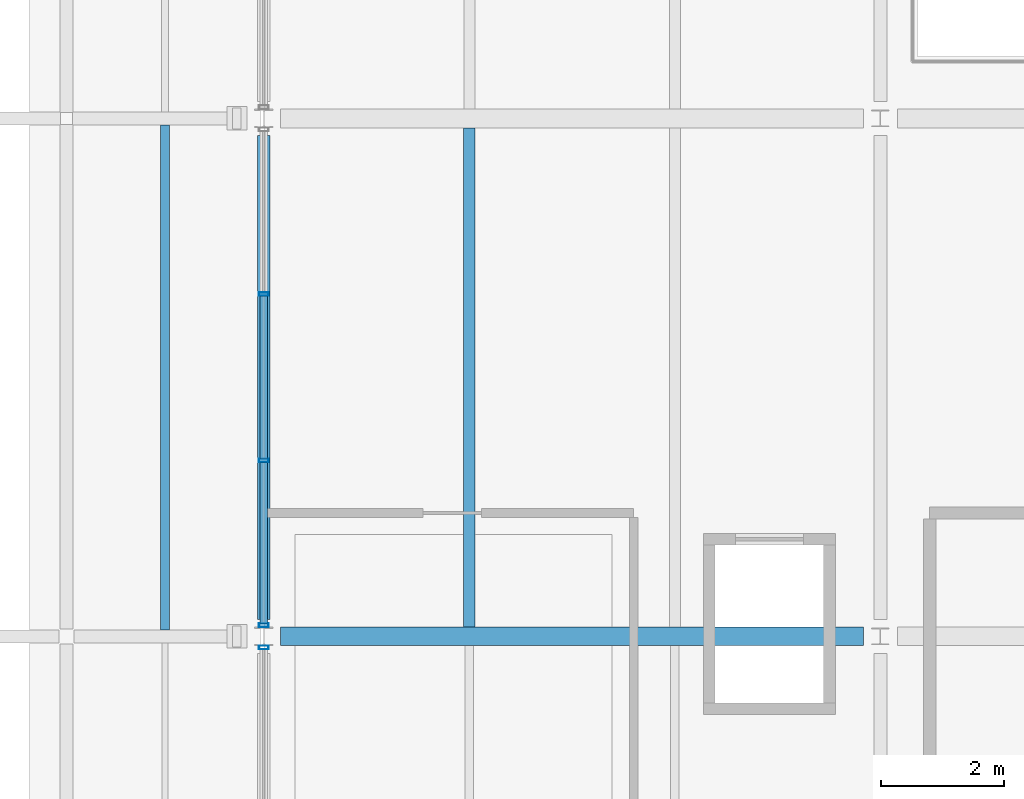
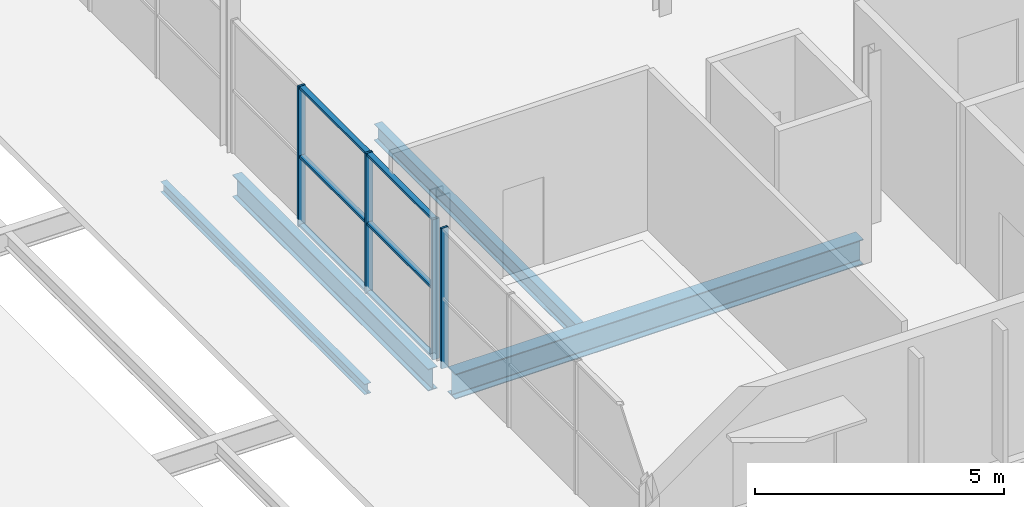
# One storey, part 95 of 161: 10 members, 4 beams, 2 elements without a shape of their own.
"""IFC4 building model written with IfcOpenShell, lengths in metres."""

import ifcopenshell
import ifcopenshell.guid

model = None  # the IFC model being written
_history = None  # IfcOwnerHistory: only IFC2X3 demands one
_inside = {}  # id of a spatial element -> (the spatial element, [elements in it])
_under = {}  # id of a project, library or spatial element -> (it, [spatial elements below it])
_declared = {}  # id of a project -> (the project, [libraries it declares])
_typed = {}  # id of a type object -> (the type object, [elements of that type])
_made_of = {}  # id of a material, layer set ... -> (it, [elements and type objects made of it])


def new_model(schema):
    """Start an empty IFC model of exactly this schema.

    Asked for "IFC4X3", IfcOpenShell would pick the latest addendum, in which some entities
    have other attributes; the version numbers below select the first issue.
    IFC2X3 requires an IfcOwnerHistory on every rooted entity: one is made here for all.
    """
    global model, _history
    if schema == "IFC4X3":
        model = ifcopenshell.file(schema_version=(4, 3, 0, 0))
    else:
        model = ifcopenshell.file(schema=schema)
    _inside.clear()
    _under.clear()
    _declared.clear()
    _typed.clear()
    _made_of.clear()
    _history = None
    if model.schema == "IFC2X3":
        org = make("IfcOrganization", Name="unknown")
        user = make(
            "IfcPersonAndOrganization",
            ThePerson=make("IfcPerson", FamilyName="unknown"),
            TheOrganization=org,
        )
        app = make(
            "IfcApplication",
            ApplicationDeveloper=org,
            Version="unknown",
            ApplicationFullName="unknown",
            ApplicationIdentifier="unknown",
        )
        _history = make(
            "IfcOwnerHistory",
            OwningUser=user,
            OwningApplication=app,
            ChangeAction="ADDED",
            CreationDate=0,
        )
    return model


def make(cls, **values):
    """One entity of the class cls with the attributes given. An attribute that is None is left unset."""
    return model.create_entity(
        cls, **{name: value for name, value in values.items() if value is not None}
    )


def rooted(cls, **values):
    """An entity with a GlobalId (a new one), such as an element, a storey or a relation."""
    return make(cls, GlobalId=ifcopenshell.guid.new(), OwnerHistory=_history, **values)


def si_unit(unit_type, name, prefix=None):
    """IfcSIUnit, for example si_unit("LENGTHUNIT", "METRE", prefix="MILLI")."""
    return make("IfcSIUnit", UnitType=unit_type, Prefix=prefix, Name=name)


def assignment(units):
    """IfcUnitAssignment: the units of a project."""
    return None if units is None else make("IfcUnitAssignment", Units=units)


def point(xyz):
    """IfcCartesianPoint."""
    return None if xyz is None else make("IfcCartesianPoint", Coordinates=xyz)


def direction(xyz):
    """IfcDirection."""
    return None if xyz is None else make("IfcDirection", DirectionRatios=xyz)


def frame(location, z_axis=None, x_axis=None):
    """IfcAxis2Placement3D, a coordinate frame: its origin and axes. An axis left out is left unset."""
    return make(
        "IfcAxis2Placement3D",
        Location=point(location),
        Axis=direction(z_axis),
        RefDirection=direction(x_axis),
    )


def frame_2d(location, x_axis=None):
    """IfcAxis2Placement2D, a coordinate frame in the plane: its origin and x axis."""
    return make(
        "IfcAxis2Placement2D", Location=point(location), RefDirection=direction(x_axis)
    )


def origin():
    """The frame at (0, 0, 0) with its axes left unset."""
    return frame((0.0, 0.0, 0.0))


def origin_2d():
    """The frame at (0, 0) in the plane with its x axis left unset."""
    return frame_2d((0.0, 0.0))


def place(relative_to, where):
    """IfcLocalPlacement: puts the frame where relative to a parent placement (None: the world)."""
    return make(
        "IfcLocalPlacement", PlacementRelTo=relative_to, RelativePlacement=where
    )


def context(
    kind, dimensions, precision=None, world=None, true_north=None, identifier=None
):
    """IfcGeometricRepresentationContext, for example the 3D "Model" context."""
    return make(
        "IfcGeometricRepresentationContext",
        ContextIdentifier=identifier,
        ContextType=kind,
        CoordinateSpaceDimension=dimensions,
        Precision=precision,
        WorldCoordinateSystem=world,
        TrueNorth=true_north,
    )


def subcontext(parent, identifier, kind, view, scale=None):
    """IfcGeometricRepresentationSubContext, for example "Body" below "Model"."""
    return make(
        "IfcGeometricRepresentationSubContext",
        ContextIdentifier=identifier,
        ContextType=kind,
        ParentContext=parent,
        TargetScale=scale,
        TargetView=view,
    )


def project(units=None, contexts=None):
    """IfcProject with its units and contexts."""
    return rooted(
        "IfcProject",
        Name="project",
        RepresentationContexts=contexts,
        UnitsInContext=assignment(units),
    )


def spatial(cls, under=None, at=None, **own):
    """A site, building, storey or space (cls), placed at a placement, below another one or the project."""
    s = rooted(cls, ObjectPlacement=at, **own)
    if under is not None:
        _under.setdefault(under.id(), (under, []))[1].append(s)
    return s


def profile(cls, at=None, kind="AREA", **sizes):
    """A parametric profile (cls). Its sizes go by their IFC names, for example OverallWidth=200.0."""
    return make(cls, ProfileType=kind, Position=at, **sizes)


def hollow_rectangle(**sizes):
    """IfcRectangleHollowProfileDef."""
    return profile("IfcRectangleHollowProfileDef", **sizes)


def i_section(**sizes):
    """IfcIShapeProfileDef."""
    return profile("IfcIShapeProfileDef", **sizes)


def extrude(swept, where, along, depth):
    """IfcExtrudedAreaSolid: the profile swept, set in the frame where, extruded along a direction by depth."""
    return make(
        "IfcExtrudedAreaSolid",
        SweptArea=swept,
        Position=where,
        ExtrudedDirection=direction(along),
        Depth=depth,
    )


def shape(context_of_items, identifier, shape_type, items):
    """IfcShapeRepresentation: the items that make up one representation, for example the "Body"."""
    return make(
        "IfcShapeRepresentation",
        ContextOfItems=context_of_items,
        RepresentationIdentifier=identifier,
        RepresentationType=shape_type,
        Items=items,
    )


def material(Name=None, Category=None):
    """IfcMaterial."""
    return make("IfcMaterial", Name=Name, Category=Category)


def material_profile(
    of_material, cross_section, Name=None, Category=None, Priority=None
):
    """IfcMaterialProfile: a cross section and its material."""
    return make(
        "IfcMaterialProfile",
        Name=Name,
        Material=of_material,
        Profile=cross_section,
        Priority=Priority,
        Category=Category,
    )


def profile_set(profiles, Name=None, composite=None):
    """IfcMaterialProfileSet."""
    return make(
        "IfcMaterialProfileSet",
        Name=Name,
        MaterialProfiles=profiles,
        CompositeProfile=composite,
    )


def made_of(thing, what):
    """Note that an element or type object is made of a material, layer set ...; save() writes the relation."""
    if what is not None:
        _made_of.setdefault(what.id(), (what, []))[1].append(thing)
    return thing


def type_object(cls, material=None, **own):
    """A type object (cls), such as IfcWallType, which elements share."""
    return made_of(rooted(cls, **own), material)


def element(
    cls,
    number,
    at=None,
    inside=None,
    cuts=None,
    type_object=None,
    material=None,
    context=None,
    identifier="Body",
    shape_type=None,
    held_by="IfcProductDefinitionShape",
    body=None,
    shapes=None,
    **own,
):
    """One element of the class cls, such as IfcWall. Its Tag is "e" and its number.

    at: its placement. inside: the storey or other place that contains it. cuts: it is an
    opening in that element (IfcRelVoidsElement). A single representation is given by context,
    identifier, shape_type and body (its items); several are given by shapes. held_by: the class
    of the entity that holds the representations. save() writes the other relations.
    """
    e = rooted(cls, Tag="e%d" % number, ObjectPlacement=at, **own)
    if body is not None:
        shapes = [shape(context, identifier, shape_type, body)]
    if shapes is not None:
        e.Representation = make(held_by, Representations=shapes)
    if inside is not None:
        _inside.setdefault(inside.id(), (inside, []))[1].append(e)
    if cuts is not None:
        rooted(
            "IfcRelVoidsElement", RelatingBuildingElement=cuts, RelatedOpeningElement=e
        )
    if type_object is not None:
        _typed.setdefault(type_object.id(), (type_object, []))[1].append(e)
    return made_of(e, material)


def aggregate(whole, parts):
    """IfcRelAggregates: a whole, such as a stair, and the parts it consists of."""
    return rooted("IfcRelAggregates", RelatingObject=whole, RelatedObjects=parts)


def save(model, path):
    """Write the relations noted so far, then the file.

    IfcRelAggregates (storeys below a building ...), IfcRelContainedInSpatialStructure (elements
    in a storey), IfcRelDefinesByType, IfcRelAssociatesMaterial and IfcRelDeclares: one each for
    every whole, place, type object, material and project.
    """
    for whole, parts in _under.values():
        aggregate(whole, parts)
    for where, things in _inside.values():
        rooted(
            "IfcRelContainedInSpatialStructure",
            RelatedElements=things,
            RelatingStructure=where,
        )
    for kind, things in _typed.values():
        rooted("IfcRelDefinesByType", RelatedObjects=things, RelatingType=kind)
    for what, things in _made_of.values():
        rooted("IfcRelAssociatesMaterial", RelatedObjects=things, RelatingMaterial=what)
    for by, libraries in _declared.values():
        rooted("IfcRelDeclares", RelatingContext=by, RelatedDefinitions=libraries)
    model.write(path)


model = new_model("IFC4")

# Units and contexts
model_context = context("Model", 3, precision=1e-05, world=origin(), true_north=direction((0.0, 1.0)))
body_context = subcontext(model_context, "Body", "Model", "MODEL_VIEW")
ifc_project = project(units=[si_unit("LENGTHUNIT", "METRE"), si_unit("AREAUNIT", "SQUARE_METRE"), si_unit("VOLUMEUNIT", "CUBIC_METRE"), si_unit("PLANEANGLEUNIT", "RADIAN"), si_unit("MASSUNIT", "GRAM", prefix="KILO"), si_unit("THERMODYNAMICTEMPERATUREUNIT", "KELVIN")], contexts=[model_context])

# Site, building, storey
site_placement = place(None, origin())
site = spatial("IfcSite", under=ifc_project, at=site_placement, CompositionType="ELEMENT")
building_placement = place(site_placement, origin())
building = spatial("IfcBuilding", under=site, at=building_placement, Name="Nduvali Passage Aquatics Centre", CompositionType="ELEMENT")
storey_placement = place(building_placement, frame((0.0, 0.0, 4.800048828125)))
storey = spatial("IfcBuildingStorey", under=building, at=storey_placement, Name="L01", CompositionType="ELEMENT", Elevation=4.800048828125)

# Curtain wall, member
ifc_material_1 = material(Name="Aluminium EN AW-6063 T6", Category="aluminium")
curtain_wall_type = type_object("IfcCurtainWallType", Name="ENV-CW-FOYR", PredefinedType="NOTDEFINED", material=ifc_material_1)
curtain_wall_1_placement = place(storey_placement, origin())
curtain_wall_1 = element("IfcCurtainWall", 1, at=curtain_wall_1_placement, inside=storey, type_object=curtain_wall_type, Name="L01 Passage Foyer End Upper CW 068", PredefinedType="NOTDEFINED")
ifc_material_profile_1 = material_profile(ifc_material_1, hollow_rectangle(XDim=0.06005859375, YDim=0.159912109375, WallThickness=0.00390625, at=origin_2d()), Name="ALU MULLION 60x160x4")
ifc_profile_set_1 = profile_set([ifc_material_profile_1], Name="Aluminium EN AW-6063 T6")
member_type_1 = type_object("IfcMemberType", Name="ENV-MEM-MUL60", PredefinedType="MULLION", material=ifc_profile_set_1)
member_1_placement = place(storey_placement, frame((138.0, 33.419921875, 0.0), z_axis=(0.0, 0.0, 1.0), x_axis=(0.0, 1.0, 0.0)))
member_1 = element("IfcMember", 2, at=member_1_placement, type_object=member_type_1, Name="Passage Foyer End Upper CW Mullion 4", PredefinedType="MULLION", context=body_context, shape_type="SweptSolid", body=[
    extrude(hollow_rectangle(XDim=0.06005859375, YDim=0.159912109375, WallThickness=0.00390625, at=origin_2d()), origin(), (0.0, 0.0, 1.0), 3.436279296875),
])
aggregate(curtain_wall_1, [member_1])

# Curtain wall, members
curtain_wall_2_placement = place(storey_placement, origin())
curtain_wall_2 = element("IfcCurtainWall", 3, at=curtain_wall_2_placement, inside=storey, type_object=curtain_wall_type, Name="L01 Passage Foyer Upper CW 070", PredefinedType="NOTDEFINED")
member_2_placement = place(storey_placement, frame((138.0, 33.780029296875, 0.0), z_axis=(0.0, 0.0, 1.0), x_axis=(0.0, 1.0, 0.0)))
member_2 = element("IfcMember", 4, at=member_2_placement, type_object=member_type_1, Name="Passage Foyer Upper CW Mullion 1", PredefinedType="MULLION", context=body_context, shape_type="SweptSolid", body=[
    extrude(hollow_rectangle(XDim=0.06005859375, YDim=0.159912109375, WallThickness=0.00390625, at=origin_2d()), origin(), (0.0, 0.0, 1.0), 3.436279296875),
])
member_3_placement = place(storey_placement, frame((138.0, 36.449951171875, 0.0), z_axis=(0.0, 0.0, 1.0), x_axis=(0.0, 1.0, 0.0)))
member_3 = element("IfcMember", 5, at=member_3_placement, type_object=member_type_1, Name="Passage Foyer Upper CW Mullion 2", PredefinedType="MULLION", context=body_context, shape_type="SweptSolid", body=[
    extrude(hollow_rectangle(XDim=0.06005859375, YDim=0.159912109375, WallThickness=0.00390625, at=origin_2d()), origin(), (0.0, 0.0, 1.0), 3.436279296875),
])
member_4_placement = place(storey_placement, frame((138.0, 39.14990234375, 0.0), z_axis=(0.0, 0.0, 1.0), x_axis=(0.0, 1.0, 0.0)))
member_4 = element("IfcMember", 6, at=member_4_placement, type_object=member_type_1, Name="Passage Foyer Upper CW Mullion 3", PredefinedType="MULLION", context=body_context, shape_type="SweptSolid", body=[
    extrude(hollow_rectangle(XDim=0.06005859375, YDim=0.159912109375, WallThickness=0.00390625, at=origin_2d()), origin(), (0.0, 0.0, 1.0), 3.436279296875),
])
ifc_material_profile_2 = material_profile(ifc_material_1, hollow_rectangle(XDim=0.1201171875, YDim=0.06005859375, WallThickness=0.00390625, at=origin_2d()), Name="ALU TRANSOM 120x60x4")
ifc_profile_set_2 = profile_set([ifc_material_profile_2], Name="Aluminium EN AW-6063 T6")
member_type_2 = type_object("IfcMemberType", Name="ENV-MEM-TRN60", PredefinedType="USERDEFINED", material=ifc_profile_set_2)
member_5_placement = place(storey_placement, frame((138.0, 33.81005859375, 0.030029296875), z_axis=(0.0, 1.0, 0.0), x_axis=(-1.0, 0.0, 0.0)))
member_5 = element("IfcMember", 7, at=member_5_placement, type_object=member_type_2, Name="Passage Foyer Upper CW Transom B1-R0", ObjectType="TRANSOM", PredefinedType="USERDEFINED", context=body_context, shape_type="SweptSolid", body=[
    extrude(hollow_rectangle(XDim=0.1201171875, YDim=0.06005859375, WallThickness=0.00390625, at=origin_2d()), origin(), (0.0, 0.0, 1.0), 2.60986328125),
])
member_6_placement = place(storey_placement, frame((138.0, 33.81005859375, 1.71826171875), z_axis=(0.0, 1.0, 0.0), x_axis=(-1.0, 0.0, 0.0)))
member_6 = element("IfcMember", 8, at=member_6_placement, type_object=member_type_2, Name="Passage Foyer Upper CW Transom B1-R1", ObjectType="TRANSOM", PredefinedType="USERDEFINED", context=body_context, shape_type="SweptSolid", body=[
    extrude(hollow_rectangle(XDim=0.1201171875, YDim=0.06005859375, WallThickness=0.00390625, at=origin_2d()), origin(), (0.0, 0.0, 1.0), 2.60986328125),
])
member_7_placement = place(storey_placement, frame((138.0, 33.81005859375, 3.40625), z_axis=(0.0, 1.0, 0.0), x_axis=(-1.0, 0.0, 0.0)))
member_7 = element("IfcMember", 9, at=member_7_placement, type_object=member_type_2, Name="Passage Foyer Upper CW Transom B1-R2", ObjectType="TRANSOM", PredefinedType="USERDEFINED", context=body_context, shape_type="SweptSolid", body=[
    extrude(hollow_rectangle(XDim=0.1201171875, YDim=0.06005859375, WallThickness=0.00390625, at=origin_2d()), origin(), (0.0, 0.0, 1.0), 2.60986328125),
])
member_8_placement = place(storey_placement, frame((138.0, 36.47998046875, 0.030029296875), z_axis=(0.0, 1.0, 0.0), x_axis=(-1.0, 0.0, 0.0)))
member_8 = element("IfcMember", 10, at=member_8_placement, type_object=member_type_2, Name="Passage Foyer Upper CW Transom B2-R0", ObjectType="TRANSOM", PredefinedType="USERDEFINED", context=body_context, shape_type="SweptSolid", body=[
    extrude(hollow_rectangle(XDim=0.1201171875, YDim=0.06005859375, WallThickness=0.00390625, at=origin_2d()), origin(), (0.0, 0.0, 1.0), 2.64013671875),
])
member_9_placement = place(storey_placement, frame((138.0, 36.47998046875, 1.71826171875), z_axis=(0.0, 1.0, 0.0), x_axis=(-1.0, 0.0, 0.0)))
member_9 = element("IfcMember", 11, at=member_9_placement, type_object=member_type_2, Name="Passage Foyer Upper CW Transom B2-R1", ObjectType="TRANSOM", PredefinedType="USERDEFINED", context=body_context, shape_type="SweptSolid", body=[
    extrude(hollow_rectangle(XDim=0.1201171875, YDim=0.06005859375, WallThickness=0.00390625, at=origin_2d()), origin(), (0.0, 0.0, 1.0), 2.64013671875),
])
member_10_placement = place(storey_placement, frame((138.0, 36.47998046875, 3.40625), z_axis=(0.0, 1.0, 0.0), x_axis=(-1.0, 0.0, 0.0)))
member_10 = element("IfcMember", 12, at=member_10_placement, type_object=member_type_2, Name="Passage Foyer Upper CW Transom B2-R2", ObjectType="TRANSOM", PredefinedType="USERDEFINED", context=body_context, shape_type="SweptSolid", body=[
    extrude(hollow_rectangle(XDim=0.1201171875, YDim=0.06005859375, WallThickness=0.00390625, at=origin_2d()), origin(), (0.0, 0.0, 1.0), 2.64013671875),
])
aggregate(curtain_wall_2, [member_2, member_3, member_4, member_5, member_6, member_7, member_8, member_9, member_10])

# Beams
ifc_material_2 = material(Name="Steel S355", Category="steel")
ifc_material_profile_3 = material_profile(ifc_material_2, i_section(OverallWidth=0.210693359375, OverallDepth=0.53955078125, WebThickness=0.01171875, FlangeThickness=0.018798828125, FilletRadius=0.0126953125, at=origin_2d()), Name="UKB 533x210x109")
ifc_profile_set_3 = profile_set([ifc_material_profile_3], Name="Steel S355")
beam_type_1 = type_object("IfcBeamType", Name="STR-BM-UKB533-EXT", PredefinedType="BEAM", material=ifc_profile_set_3)
beam_1_placement = place(storey_placement, frame((138.0, 33.875, -0.553955078125), z_axis=(0.0, 1.0, 0.0), x_axis=(-1.0, 0.0, 0.0)))
element("IfcBeam", 13, at=beam_1_placement, inside=storey, type_object=beam_type_1, Name="L01 Primary Y-Girder B6E-0659", PredefinedType="BEAM", context=body_context, shape_type="SweptSolid", body=[
    extrude(i_section(OverallWidth=0.210693359375, OverallDepth=0.53955078125, WebThickness=0.01171875, FlangeThickness=0.018798828125, FilletRadius=0.0126953125, at=origin_2d()), origin(), (0.0, 0.0, 1.0), 7.85009765625),
])
ifc_material_profile_4 = material_profile(ifc_material_2, i_section(OverallWidth=0.3046875, OverallDepth=0.6123046875, WebThickness=0.01171875, FlangeThickness=0.019775390625, FilletRadius=0.0166015625, at=origin_2d()), Name="UKB 610x305x149")
ifc_profile_set_4 = profile_set([ifc_material_profile_4], Name="Steel S355")
beam_type_2 = type_object("IfcBeamType", Name="STR-BM-UKB610W", PredefinedType="BEAM", material=ifc_profile_set_4)
beam_2_placement = place(storey_placement, frame((138.27490234375, 33.60009765625, -0.59033203125), z_axis=(1.0, 0.0, 0.0), x_axis=(0.0, 1.0, 0.0)))
element("IfcBeam", 14, at=beam_2_placement, inside=storey, type_object=beam_type_2, Name="L01 Primary X-Girder B5A-0469", PredefinedType="BEAM", context=body_context, shape_type="SweptSolid", body=[
    extrude(i_section(OverallWidth=0.3046875, OverallDepth=0.6123046875, WebThickness=0.01171875, FlangeThickness=0.019775390625, FilletRadius=0.0166015625, at=origin_2d()), origin(), (0.0, 0.0, 1.0), 9.4501953125),
])
ifc_material_profile_5 = material_profile(ifc_material_2, i_section(OverallWidth=0.179931640625, OverallDepth=0.39990234375, WebThickness=0.008544921875, FlangeThickness=0.013427734375, FilletRadius=0.02099609375, at=origin_2d()), Name="IPE 400")
ifc_profile_set_5 = profile_set([ifc_material_profile_5], Name="Steel S355")
beam_type_3 = type_object("IfcBeamType", Name="STR-JST-IPE400", PredefinedType="JOIST", material=ifc_profile_set_5)
beam_3_placement = place(storey_placement, frame((141.333251953125, 33.75244140625, -0.484130859375), z_axis=(0.0, 1.0, 0.0), x_axis=(-1.0, 0.0, 0.0)))
element("IfcBeam", 15, at=beam_3_placement, inside=storey, type_object=beam_type_3, Name="L01 Secondary Joist J5-0752", PredefinedType="JOIST", context=body_context, shape_type="SweptSolid", body=[
    extrude(i_section(OverallWidth=0.179931640625, OverallDepth=0.39990234375, WebThickness=0.008544921875, FlangeThickness=0.013427734375, FilletRadius=0.02099609375, at=origin_2d()), origin(), (0.0, 0.0, 1.0), 8.09521484375),
])
ifc_material_profile_6 = material_profile(ifc_material_2, i_section(OverallWidth=0.146484375, OverallDepth=0.256103515625, WebThickness=0.00634765625, FlangeThickness=0.010986328125, FilletRadius=0.007568359375, at=origin_2d()), Name="UKB 254x146x37")
ifc_profile_set_6 = profile_set([ifc_material_profile_6], Name="Steel S355")
beam_type_4 = type_object("IfcBeamType", Name="STR-JST-UKB254", PredefinedType="JOIST", material=ifc_profile_set_6)
beam_4_placement = place(storey_placement, frame((136.39990234375, 33.705322265625, -0.132080078125), z_axis=(0.0, 1.0, 0.0), x_axis=(-1.0, 0.0, 0.0)))
element("IfcBeam", 16, at=beam_4_placement, inside=storey, type_object=beam_type_4, Name="L01 Secondary Joist J4-0751", PredefinedType="JOIST", context=body_context, shape_type="SweptSolid", body=[
    extrude(i_section(OverallWidth=0.146484375, OverallDepth=0.256103515625, WebThickness=0.00634765625, FlangeThickness=0.010986328125, FilletRadius=0.007568359375, at=origin_2d()), origin(), (0.0, 0.0, 1.0), 8.189208984375),
])

save(model, "model.ifc")
